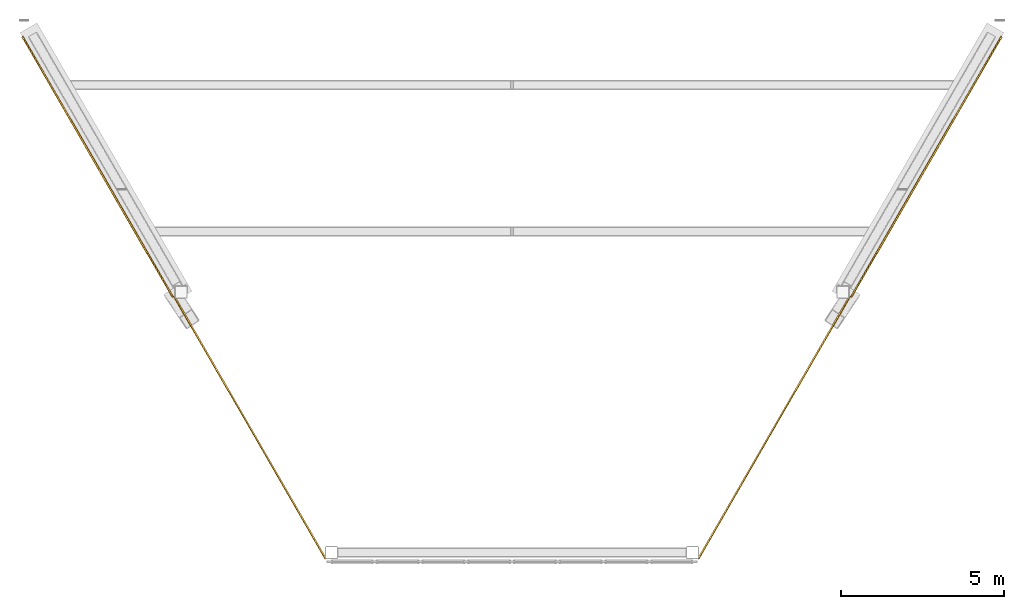
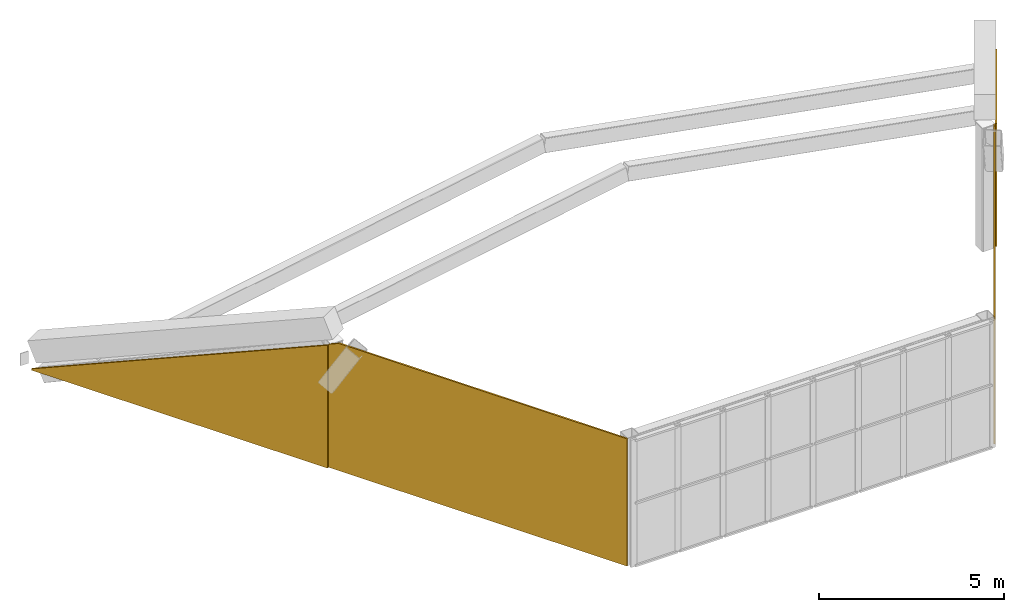
# One storey, part 4 of 4: 4 coverings.
"""IFC4 building model written with IfcOpenShell, lengths in metres."""

from ifc_helpers import new_model, si_unit, direction, frame, origin, place, context, subcontext, project, spatial, polyline, outline, extrude, material, layer, layer_set, type_object, element, save


model = new_model("IFC4")

# Units and contexts
model_context = context("Model", 3, precision=1e-05, world=origin(), true_north=direction((0.0, 1.0)))
body_context = subcontext(model_context, "Body", "Model", "MODEL_VIEW")
ifc_project = project(units=[si_unit("LENGTHUNIT", "METRE"), si_unit("AREAUNIT", "SQUARE_METRE"), si_unit("VOLUMEUNIT", "CUBIC_METRE"), si_unit("PLANEANGLEUNIT", "RADIAN"), si_unit("MASSUNIT", "GRAM", prefix="KILO")], contexts=[model_context])

# Site, building, storey
site_placement = place(None, origin())
site = spatial("IfcSite", under=ifc_project, at=site_placement, CompositionType="ELEMENT")
building_placement = place(site_placement, origin())
building = spatial("IfcBuilding", under=site, at=building_placement, Name="Aloe Facet Convention Tower", CompositionType="ELEMENT")
storey_placement = place(building_placement, frame((0.0, 0.0, 298.10009765625)))
storey = spatial("IfcBuildingStorey", under=building, at=storey_placement, Name="C4", CompositionType="ELEMENT", Elevation=298.10009765625)

# Coverings
ifc_material = material(Name="Perforated aluminium sheet, powder coated", Category="aluminium")
ifc_layer = layer(ifc_material, 0.050048828125)
ifc_layer_set = layer_set([ifc_layer], Name="EV-SCREEN-CROWN")
covering_type = type_object("IfcCoveringType", Name="EV-SCREEN-CROWN", PredefinedType="CLADDING", material=ifc_layer_set)
covering_1_placement = place(storey_placement, frame((64.971923828125, 125.053466796875, 0.0), z_axis=(0.866027240882, 0.49999681804, 0.0), x_axis=(0.0, 0.0, 1.0)))
element("IfcCovering", 1, at=covering_1_placement, inside=storey, type_object=covering_type, Name="SCREEN C4-W07", PredefinedType="CLADDING", context=body_context, shape_type="SweptSolid", body=[
    extrude(outline(polyline([(0.0, 0.0), (0.041259765625, 0.0), (4.05859375, 9.243222885629816), (0.0, 9.243222885629816), (0.0, 0.0)])), origin(), (0.0, 0.0, -1.0), 0.050048828125),
])
covering_2_placement = place(storey_placement, frame((69.593505859375, 117.048583984375, 0.0), z_axis=(-0.866021993527, -0.500005906634, 7.668353e-06), x_axis=(6.640962e-06, 3.834222e-06, 0.999999999971)))
element("IfcCovering", 2, at=covering_2_placement, inside=storey, type_object=covering_type, Name="SCREEN C4-W08", PredefinedType="CLADDING", context=body_context, shape_type="SweptSolid", body=[
    extrude(outline(polyline([(0.0, 0.0), (4.05859374988067, -1.7188813128851915e-21), (4.199951172245458, -0.325079905369607), (4.199951171759826, -9.316294316353073), (8.312329814806445e-12, -9.316294316353073), (0.0, 0.0)])), origin(), (0.0, 0.0, -1.0), 0.050048828125),
])
covering_3_placement = place(storey_placement, frame((85.748291015625, 108.98046875, 0.0), z_axis=(0.866021993527, -0.500005906634, 7.668353e-06), x_axis=(-6.640962e-06, 3.834222e-06, 0.999999999971)))
element("IfcCovering", 3, at=covering_3_placement, inside=storey, type_object=covering_type, Name="SCREEN C4-E10", PredefinedType="CLADDING", context=body_context, shape_type="SweptSolid", body=[
    extrude(outline(polyline([(0.0, 0.0), (4.199951171751514, 1.778748509718717e-21), (4.199951172237147, -8.991214410983465), (4.058593749872357, -9.316294316353073), (-8.312329814806445e-12, -9.316294316353073), (0.0, 0.0)])), origin(), (0.0, 0.0, -1.0), 0.050048828125),
])
covering_4_placement = place(storey_placement, frame((90.406494140625, 117.048583984375, 0.0), z_axis=(-0.866027240882, 0.49999681804, 0.0), x_axis=(0.0, 0.0, 1.0)))
element("IfcCovering", 4, at=covering_4_placement, inside=storey, type_object=covering_type, Name="SCREEN C4-E11", PredefinedType="CLADDING", context=body_context, shape_type="SweptSolid", body=[
    extrude(outline(polyline([(0.0, 0.0), (4.05859375, 0.0), (0.041259765625, 9.243222885629816), (0.0, 9.243222885629816), (0.0, 0.0)])), origin(), (0.0, 0.0, -1.0), 0.050048828125),
])

save(model, "model.ifc")
